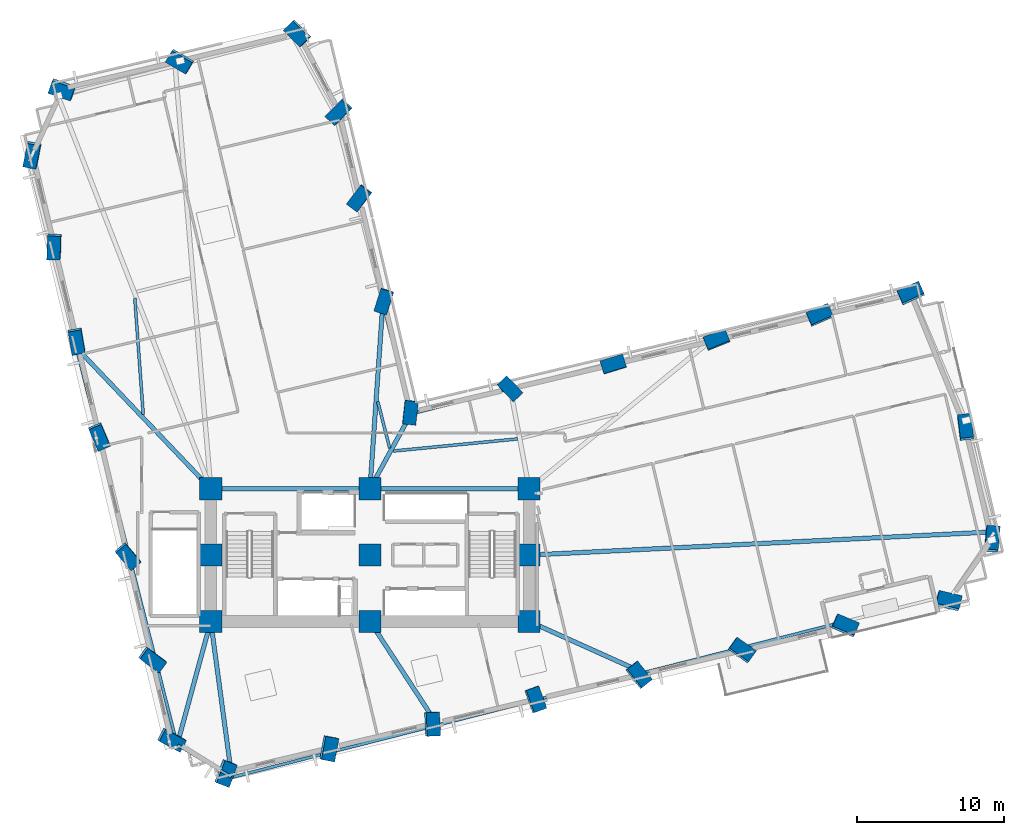
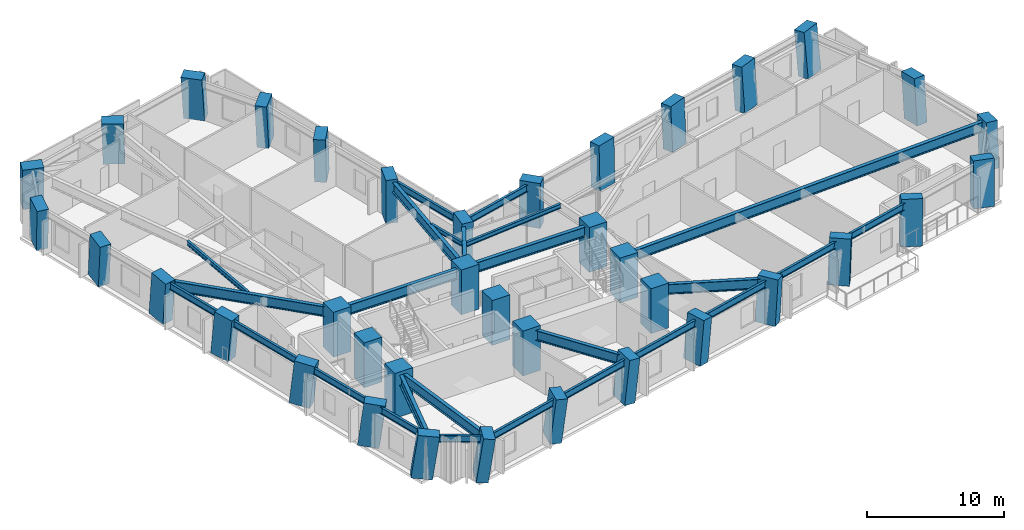
# One storey, part 1 of 14: 38 columns, 26 beams.
"""IFC4 building model written with IfcOpenShell, lengths in metres."""

from ifc_helpers import new_model, si_unit, direction, frame, origin, origin_2d, place, context, subcontext, project, spatial, rectangle, i_section, extrude, material, material_profile, profile_set, type_object, element, save


model = new_model("IFC4")

# Units and contexts
model_context = context("Model", 3, precision=1e-05, world=origin(), true_north=direction((0.0, 1.0)))
body_context = subcontext(model_context, "Body", "Model", "MODEL_VIEW")
ifc_project = project(units=[si_unit("LENGTHUNIT", "METRE"), si_unit("AREAUNIT", "SQUARE_METRE"), si_unit("VOLUMEUNIT", "CUBIC_METRE"), si_unit("PLANEANGLEUNIT", "RADIAN"), si_unit("MASSUNIT", "GRAM", prefix="KILO")], contexts=[model_context])

# Site, building, storey
site_placement = place(None, origin())
site = spatial("IfcSite", under=ifc_project, at=site_placement, CompositionType="ELEMENT")
building_placement = place(site_placement, origin())
building = spatial("IfcBuilding", under=site, at=building_placement, Name="Gaonmaruhae Medical Tower", CompositionType="ELEMENT")
storey_placement = place(building_placement, frame((0.0, 0.0, 79.0)))
storey = spatial("IfcBuildingStorey", under=building, at=storey_placement, Name="L18", CompositionType="ELEMENT", Elevation=79.0)

# Columns
ifc_material_1 = material(Name="Concrete C60/75", Category="concrete")
ifc_material_profile_1 = material_profile(ifc_material_1, rectangle(XDim=1.5, YDim=1.5, at=origin_2d()), Name="RC-1500x1500")
ifc_profile_set_1 = profile_set([ifc_material_profile_1], Name="Concrete C60/75")
column_type_1 = type_object("IfcColumnType", Name="CC-02 Zone 1 Core Column (RC-1500x1500)", PredefinedType="COLUMN", material=ifc_profile_set_1)
for number, where, z_axis, x_axis, name in (
    (1, (14.0, 7.800048828125, 0.0), (0.0, 0.0, 1.0), (1.0, 0.0, 0.0), "L18 Plumb Core Column CC11"),
    (2, (14.0, 12.300048828125, 0.0), (0.0, 0.0, 1.0), (1.0, 0.0, 0.0), "L18 Plumb Core Column CC12"),
    (3, (14.0, 16.800048828125, 0.0), (0.0, 0.0, 1.0), (1.0, 0.0, 0.0), "L18 Plumb Core Column CC13"),
    (4, (24.800048828125, 7.800048828125, 0.0), (0.0, 0.0, 1.0), (1.0, 0.0, 0.0), "L18 Plumb Core Column CC21"),
    (5, (24.800048828125, 12.300048828125, 0.0), (0.0, 0.0, 1.0), (1.0, 0.0, 0.0), "L18 Plumb Core Column CC22"),
    (6, (24.800048828125, 16.800048828125, 0.0), (0.0, 0.0, 1.0), (1.0, 0.0, 0.0), "L18 Plumb Core Column CC23"),
    (7, (35.60009765625, 7.800048828125, 0.0), (0.0, 0.0, 1.0), (1.0, 0.0, 0.0), "L18 Plumb Core Column CC31"),
    (8, (35.60009765625, 12.300048828125, 0.0), (0.0, 0.0, 1.0), (1.0, 0.0, 0.0), "L18 Plumb Core Column CC32"),
    (9, (35.60009765625, 16.800048828125, 0.0), (0.0, 0.0, 1.0), (1.0, 0.0, 0.0), "L18 Plumb Core Column CC33"),
):
    element("IfcColumn", number, at=place(storey_placement, frame(where, z_axis=z_axis, x_axis=x_axis)), inside=storey, type_object=column_type_1, Name=name, PredefinedType="COLUMN", context=body_context, shape_type="SweptSolid", body=[
        extrude(rectangle(XDim=1.5, YDim=1.5, at=origin_2d()), origin(), (0.0, 0.0, 1.0), 4.0),
    ])
ifc_material_profile_2 = material_profile(ifc_material_1, rectangle(XDim=1.60009765625, YDim=0.89990234375, at=origin_2d()), Name="RC-1600x900")
ifc_profile_set_2 = profile_set([ifc_material_profile_2], Name="Concrete C60/75")
column_type_2 = type_object("IfcColumnType", Name="TC-01 Lower Raking Tube Pier Column (RC-1600x900)", PredefinedType="COLUMN", material=ifc_profile_set_2)
column_1_placement = place(storey_placement, frame((14.97314453125, -2.466552734375, 0.001708984375), z_axis=(0.11261318485, -0.075570187747, 0.990761029372), x_axis=(0.353017915617, 0.935096231828, 0.031199174268)))
element("IfcColumn", 10, at=column_1_placement, inside=storey, type_object=column_type_2, Name="L18 Perimeter Tube Column S01", PredefinedType="COLUMN", context=body_context, shape_type="SweptSolid", body=[
    extrude(rectangle(XDim=1.60009765625, YDim=0.89990234375, at=origin_2d()), origin(), (0.0, 0.0, 1.0), 3.94775390625),
])
column_2_placement = place(storey_placement, frame((21.980224609375, -0.81005859375, 0.001708984375), z_axis=(0.105804523447, -0.046969297792, 0.993277044879), x_axis=(0.186010672696, 0.982186756856, 0.026630889967)))
element("IfcColumn", 11, at=column_2_placement, inside=storey, type_object=column_type_2, Name="L18 Perimeter Tube Column S02", PredefinedType="COLUMN", context=body_context, shape_type="SweptSolid", body=[
    extrude(rectangle(XDim=1.60009765625, YDim=0.89990234375, at=origin_2d()), origin(), (0.0, 0.0, 1.0), 3.950439453125),
])
column_3_placement = place(storey_placement, frame((28.987060546875, 0.84619140625, 0.001708984375), z_axis=(0.098936866845, -0.018218711435, 0.994926919393), x_axis=(-0.048855407687, 0.998537704387, 0.023143077958)))
element("IfcColumn", 12, at=column_3_placement, inside=storey, type_object=column_type_2, Name="L18 Perimeter Tube Column S03", PredefinedType="COLUMN", context=body_context, shape_type="SweptSolid", body=[
    extrude(rectangle(XDim=1.60009765625, YDim=0.89990234375, at=origin_2d()), origin(), (0.0, 0.0, 1.0), 3.953125),
])
column_4_placement = place(storey_placement, frame((35.993896484375, 2.502685546875, 0.001708984375), z_axis=(0.091910802022, 0.010616963027, 0.995710642992), x_axis=(-0.339222831521, 0.940465222119, 0.021284655504)))
element("IfcColumn", 13, at=column_4_placement, inside=storey, type_object=column_type_2, Name="L18 Perimeter Tube Column S04", PredefinedType="COLUMN", context=body_context, shape_type="SweptSolid", body=[
    extrude(rectangle(XDim=1.60009765625, YDim=0.89990234375, at=origin_2d()), origin(), (0.0, 0.0, 1.0), 3.955078125),
])
column_5_placement = place(storey_placement, frame((43.000732421875, 4.1591796875, 0.001708984375), z_axis=(0.084881179717, 0.039446599156, 0.995609939256), x_axis=(-0.617843296681, 0.786006368536, 0.021532518815)))
element("IfcColumn", 14, at=column_5_placement, inside=storey, type_object=column_type_2, Name="L18 Perimeter Tube Column S05", PredefinedType="COLUMN", context=body_context, shape_type="SweptSolid", body=[
    extrude(rectangle(XDim=1.60009765625, YDim=0.89990234375, at=origin_2d()), origin(), (0.0, 0.0, 1.0), 3.954833984375),
])
column_6_placement = place(storey_placement, frame((50.007568359375, 5.8154296875, 0.001708984375), z_axis=(0.077702832451, 0.068314254921, 0.994633315551), x_axis=(-0.814413568404, 0.579796535896, 0.023801608418)))
element("IfcColumn", 15, at=column_6_placement, inside=storey, type_object=column_type_2, Name="L18 Perimeter Tube Column S06", PredefinedType="COLUMN", context=body_context, shape_type="SweptSolid", body=[
    extrude(rectangle(XDim=1.60009765625, YDim=0.89990234375, at=origin_2d()), origin(), (0.0, 0.0, 1.0), 3.95263671875),
])
column_7_placement = place(storey_placement, frame((57.014404296875, 7.471923828125, 0.001708984375), z_axis=(0.070529421211, 0.096923867186, 0.992789688058), x_axis=(-0.921275075012, 0.387932734604, 0.027575887724)))
element("IfcColumn", 16, at=column_7_placement, inside=storey, type_object=column_type_2, Name="L18 Perimeter Tube Column S07", PredefinedType="COLUMN", context=body_context, shape_type="SweptSolid", body=[
    extrude(rectangle(XDim=1.60009765625, YDim=0.89990234375, at=origin_2d()), origin(), (0.0, 0.0, 1.0), 3.94970703125),
])
column_8_placement = place(storey_placement, frame((64.021484375, 9.128173828125, 0.001708984375), z_axis=(0.063267908091, 0.125422597857, 0.990084008432), x_axis=(-0.971472319598, 0.234940780414, 0.032316589435)))
element("IfcColumn", 17, at=column_8_placement, inside=storey, type_object=column_type_2, Name="L18 Perimeter Tube Column S08", PredefinedType="COLUMN", context=body_context, shape_type="SweptSolid", body=[
    extrude(rectangle(XDim=1.60009765625, YDim=0.89990234375, at=origin_2d()), origin(), (0.0, 0.0, 1.0), 3.947509765625),
])
column_9_placement = place(storey_placement, frame((66.98583984375, 13.32275390625, 0.001708984375), z_axis=(0.045963241143, 0.137327672927, 0.989458685702), x_axis=(-0.08746818067, -0.986147900056, 0.140931318682)))
element("IfcColumn", 18, at=column_9_placement, inside=storey, type_object=column_type_2, Name="L18 Perimeter Tube Column E01", PredefinedType="COLUMN", context=body_context, shape_type="SweptSolid", body=[
    extrude(rectangle(XDim=1.60009765625, YDim=0.89990234375, at=origin_2d()), origin(), (0.0, 0.0, 1.0), 3.909423828125),
])
column_10_placement = place(storey_placement, frame((65.19140625, 20.91357421875, 0.001708984375), z_axis=(0.014907968205, 0.129930116199, 0.991411073868), x_axis=(0.118569910766, -0.98475493956, 0.127274841477)))
element("IfcColumn", 19, at=column_10_placement, inside=storey, type_object=column_type_2, Name="L18 Perimeter Tube Column E02", PredefinedType="COLUMN", context=body_context, shape_type="SweptSolid", body=[
    extrude(rectangle(XDim=1.60009765625, YDim=0.89990234375, at=origin_2d()), origin(), (0.0, 0.0, 1.0), 3.9140625),
])
column_11_placement = place(storey_placement, frame((61.500244140625, 30.00830078125, 0.001708984375), z_axis=(-0.022435239358, 0.114710204542, 0.993145623264), x_axis=(-0.91122897406, -0.411021576739, 0.026889036583)))
element("IfcColumn", 20, at=column_11_placement, inside=storey, type_object=column_type_2, Name="L18 Perimeter Tube Column E03", PredefinedType="COLUMN", context=body_context, shape_type="SweptSolid", body=[
    extrude(rectangle(XDim=1.60009765625, YDim=0.89990234375, at=origin_2d()), origin(), (0.0, 0.0, 1.0), 3.9501953125),
])
column_12_placement = place(storey_placement, frame((55.320556640625, 28.54736328125, 0.001708984375), z_axis=(-0.016232316816, 0.08955548175, 0.995849550675), x_axis=(-0.916717600894, -0.398986772208, 0.020937903777)))
element("IfcColumn", 21, at=column_12_placement, inside=storey, type_object=column_type_2, Name="L18 Perimeter Tube Column EN01", PredefinedType="COLUMN", context=body_context, shape_type="SweptSolid", body=[
    extrude(rectangle(XDim=1.60009765625, YDim=0.89990234375, at=origin_2d()), origin(), (0.0, 0.0, 1.0), 3.95556640625),
])
column_13_placement = place(storey_placement, frame((48.3134765625, 26.89111328125, 0.001708984375), z_axis=(-0.009112910519, 0.060773261368, 0.998109996726), x_axis=(-0.928369181948, -0.371390363656, 0.014137177668)))
element("IfcColumn", 22, at=column_13_placement, inside=storey, type_object=column_type_2, Name="L18 Perimeter Tube Column EN02", PredefinedType="COLUMN", context=body_context, shape_type="SweptSolid", body=[
    extrude(rectangle(XDim=1.60009765625, YDim=0.89990234375, at=origin_2d()), origin(), (0.0, 0.0, 1.0), 3.965087890625),
])
column_14_placement = place(storey_placement, frame((41.306640625, 25.234619140625, 0.001708984375), z_axis=(-0.002025368238, 0.031914893443, 0.999488537933), x_axis=(-0.956662549699, -0.291105897836, 0.007356782483)))
element("IfcColumn", 23, at=column_14_placement, inside=storey, type_object=column_type_2, Name="L18 Perimeter Tube Column EN03", PredefinedType="COLUMN", context=body_context, shape_type="SweptSolid", body=[
    extrude(rectangle(XDim=1.60009765625, YDim=0.89990234375, at=origin_2d()), origin(), (0.0, 0.0, 1.0), 3.977783203125),
])
column_15_placement = place(storey_placement, frame((34.2998046875, 23.578125, 0.001708984375), z_axis=(0.005075743529, 0.002996523288, 0.999982628687), x_axis=(-0.692844389417, 0.721085857155, 0.001355973417)))
element("IfcColumn", 24, at=column_15_placement, inside=storey, type_object=column_type_2, Name="L18 Perimeter Tube Column EN04", PredefinedType="COLUMN", context=body_context, shape_type="SweptSolid", body=[
    extrude(rectangle(XDim=1.60009765625, YDim=0.89990234375, at=origin_2d()), origin(), (0.0, 0.0, 1.0), 3.9921875),
])
column_16_placement = place(storey_placement, frame((27.536376953125, 21.979248046875, 0.001708984375), z_axis=(0.011862879742, -0.025016539145, 0.999616648948), x_axis=(0.110387943511, 0.993609384183, 0.023556179442)))
element("IfcColumn", 25, at=column_16_placement, inside=storey, type_object=column_type_2, Name="L18 Perimeter Tube Column KN01", PredefinedType="COLUMN", context=body_context, shape_type="SweptSolid", body=[
    extrude(rectangle(XDim=1.60009765625, YDim=0.89990234375, at=origin_2d()), origin(), (0.0, 0.0, 1.0), 3.971923828125),
])
column_17_placement = place(storey_placement, frame((25.75341796875, 29.521484375, 0.001708984375), z_axis=(-0.019332928217, -0.032693582431, 0.999278423441), x_axis=(0.296974112484, 0.954169844595, 0.036963281503)))
element("IfcColumn", 26, at=column_17_placement, inside=storey, type_object=column_type_2, Name="L18 Perimeter Tube Column NE01", PredefinedType="COLUMN", context=body_context, shape_type="SweptSolid", body=[
    extrude(rectangle(XDim=1.60009765625, YDim=0.89990234375, at=origin_2d()), origin(), (0.0, 0.0, 1.0), 3.96533203125),
])
column_18_placement = place(storey_placement, frame((24.096923828125, 36.5283203125, 0.001708984375), z_axis=(-0.048168082707, -0.039696930806, 0.998050093679), x_axis=(0.603230951511, 0.795250021524, 0.060743908373)))
element("IfcColumn", 27, at=column_18_placement, inside=storey, type_object=column_type_2, Name="L18 Perimeter Tube Column NE02", PredefinedType="COLUMN", context=body_context, shape_type="SweptSolid", body=[
    extrude(rectangle(XDim=1.60009765625, YDim=0.89990234375, at=origin_2d()), origin(), (0.0, 0.0, 1.0), 3.948486328125),
])
column_19_placement = place(storey_placement, frame((22.716552734375, 42.367431640625, 0.001708984375), z_axis=(-0.072160803542, -0.045542587962, 0.996352694137), x_axis=(0.697196380934, 0.71205424328, 0.083041923377)))
element("IfcColumn", 28, at=column_19_placement, inside=storey, type_object=column_type_2, Name="L18 Perimeter Tube Column NE03", PredefinedType="COLUMN", context=body_context, shape_type="SweptSolid", body=[
    extrude(rectangle(XDim=1.60009765625, YDim=0.89990234375, at=origin_2d()), origin(), (0.0, 0.0, 1.0), 3.934814453125),
])
column_20_placement = place(storey_placement, frame((19.910888671875, 47.71533203125, 0.001708984375), z_axis=(-0.0939135141, -0.057151316147, 0.993938619298), x_axis=(0.701244074695, -0.712472540273, 0.025290849368)))
element("IfcColumn", 29, at=column_20_placement, inside=storey, type_object=column_type_2, Name="L18 Perimeter Tube Column N01", PredefinedType="COLUMN", context=body_context, shape_type="SweptSolid", body=[
    extrude(rectangle(XDim=1.60009765625, YDim=0.89990234375, at=origin_2d()), origin(), (0.0, 0.0, 1.0), 3.951416015625),
])
column_21_placement = place(storey_placement, frame((11.930908203125, 45.828857421875, 0.001708984375), z_axis=(-0.085748490586, -0.08982880809, 0.992259029487), x_axis=(0.861560195965, -0.506850916025, 0.028568823104)))
element("IfcColumn", 30, at=column_21_placement, inside=storey, type_object=column_type_2, Name="L18 Perimeter Tube Column N02", PredefinedType="COLUMN", context=body_context, shape_type="SweptSolid", body=[
    extrude(rectangle(XDim=1.60009765625, YDim=0.89990234375, at=origin_2d()), origin(), (0.0, 0.0, 1.0), 3.948974609375),
])
column_22_placement = place(storey_placement, frame((3.950927734375, 43.9423828125, 0.001708984375), z_axis=(-0.077497819487, -0.122215236478, 0.989473356866), x_axis=(0.943770999511, -0.32891938876, 0.033291683348)))
element("IfcColumn", 31, at=column_22_placement, inside=storey, type_object=column_type_2, Name="L18 Perimeter Tube Column N03", PredefinedType="COLUMN", context=body_context, shape_type="SweptSolid", body=[
    extrude(rectangle(XDim=1.60009765625, YDim=0.89990234375, at=origin_2d()), origin(), (0.0, 0.0, 1.0), 3.947265625),
])
column_23_placement = place(storey_placement, frame((1.9169921875, 39.505615234375, 0.001708984375), z_axis=(-0.059259340669, -0.130507926236, 0.989674699956), x_axis=(0.188731152124, 0.972071916583, 0.13948742312)))
element("IfcColumn", 32, at=column_23_placement, inside=storey, type_object=column_type_2, Name="L18 Perimeter Tube Column W01", PredefinedType="COLUMN", context=body_context, shape_type="SweptSolid", body=[
    extrude(rectangle(XDim=1.60009765625, YDim=0.89990234375, at=origin_2d()), origin(), (0.0, 0.0, 1.0), 3.90966796875),
])
column_24_placement = place(storey_placement, frame((3.389404296875, 33.27734375, 0.001708984375), z_axis=(-0.033801168241, -0.124478102969, 0.991646450559), x_axis=(0.030884358941, 0.991609466495, 0.125526181855)))
element("IfcColumn", 33, at=column_24_placement, inside=storey, type_object=column_type_2, Name="L18 Perimeter Tube Column W02", PredefinedType="COLUMN", context=body_context, shape_type="SweptSolid", body=[
    extrude(rectangle(XDim=1.60009765625, YDim=0.89990234375, at=origin_2d()), origin(), (0.0, 0.0, 1.0), 3.914794921875),
])
column_25_placement = place(storey_placement, frame((4.90771484375, 26.854248046875, 0.001708984375), z_axis=(-0.007475732598, -0.118178872823, 0.992964182355), x_axis=(-0.16858477636, 0.978927541895, 0.115239059779)))
element("IfcColumn", 34, at=column_25_placement, inside=storey, type_object=column_type_2, Name="L18 Perimeter Tube Column W03", PredefinedType="COLUMN", context=body_context, shape_type="SweptSolid", body=[
    extrude(rectangle(XDim=1.60009765625, YDim=0.89990234375, at=origin_2d()), origin(), (0.0, 0.0, 1.0), 3.9189453125),
])
column_26_placement = place(storey_placement, frame((6.437744140625, 20.382568359375, 0.001708984375), z_axis=(0.019115262304, -0.111702868317, 0.993557786924), x_axis=(-0.389846102073, 0.914252031556, 0.110287077643)))
element("IfcColumn", 35, at=column_26_placement, inside=storey, type_object=column_type_2, Name="L18 Perimeter Tube Column W04", PredefinedType="COLUMN", context=body_context, shape_type="SweptSolid", body=[
    extrude(rectangle(XDim=1.60009765625, YDim=0.89990234375, at=origin_2d()), origin(), (0.0, 0.0, 1.0), 3.9208984375),
])
column_27_placement = place(storey_placement, frame((8.358642578125, 12.256591796875, 0.001708984375), z_axis=(0.052505308671, -0.103515804284, 0.993240993327), x_axis=(-0.642416146359, 0.757985593665, 0.112957225061)))
element("IfcColumn", 36, at=column_27_placement, inside=storey, type_object=column_type_2, Name="L18 Perimeter Tube Column W05", PredefinedType="COLUMN", context=body_context, shape_type="SweptSolid", body=[
    extrude(rectangle(XDim=1.60009765625, YDim=0.89990234375, at=origin_2d()), origin(), (0.0, 0.0, 1.0), 3.919921875),
])
column_28_placement = place(storey_placement, frame((10.01513671875, 5.249755859375, 0.001708984375), z_axis=(0.081173273007, -0.0963231235, 0.992034654449), x_axis=(-0.798045426848, 0.589996603897, 0.122586720637)))
element("IfcColumn", 37, at=column_28_placement, inside=storey, type_object=column_type_2, Name="L18 Perimeter Tube Column W06", PredefinedType="COLUMN", context=body_context, shape_type="SweptSolid", body=[
    extrude(rectangle(XDim=1.60009765625, YDim=0.89990234375, at=origin_2d()), origin(), (0.0, 0.0, 1.0), 3.916015625),
])
column_29_placement = place(storey_placement, frame((11.303466796875, -0.199951171875, 0.001708984375), z_axis=(0.103356682882, -0.090686751345, 0.990501544287), x_axis=(-0.876292372031, 0.462823491744, 0.133813654794)))
element("IfcColumn", 38, at=column_29_placement, inside=storey, type_object=column_type_2, Name="L18 Perimeter Tube Column W07", PredefinedType="COLUMN", context=body_context, shape_type="SweptSolid", body=[
    extrude(rectangle(XDim=1.60009765625, YDim=0.89990234375, at=origin_2d()), origin(), (0.0, 0.0, 1.0), 3.91162109375),
])

# Beams
ifc_material_2 = material(Name="Steel SM355", Category="steel")
ifc_material_profile_3 = material_profile(ifc_material_2, i_section(OverallWidth=0.199951171875, OverallDepth=0.39990234375, WebThickness=0.008056640625, FlangeThickness=0.012939453125, FilletRadius=0.012939453125, at=origin_2d()), Name="H-400x200x8x13")
ifc_profile_set_3 = profile_set([ifc_material_profile_3], Name="Steel SM355")
beam_type_1 = type_object("IfcBeamType", Name="FJ-01 Lower Zone Ward Floor Joist (H-400x200x8x13)", PredefinedType="JOIST", material=ifc_profile_set_3)
beam_1_placement = place(storey_placement, frame((34.80419921875, 20.1796875, 3.5), z_axis=(-0.995277216715, -0.097073487047, 0.0), x_axis=(0.097073487047, -0.995277216715, 0.0)))
element("IfcBeam", 39, at=beam_1_placement, inside=storey, type_object=beam_type_1, Name="L18 Secondary Floor Joist FJ06", PredefinedType="JOIST", context=body_context, shape_type="SweptSolid", body=[
    extrude(i_section(OverallWidth=0.199951171875, OverallDepth=0.39990234375, WebThickness=0.008056640625, FlangeThickness=0.012939453125, FilletRadius=0.012939453125, at=origin_2d()), origin(), (0.0, 0.0, 1.0), 8.465576171875),
])
beam_2_placement = place(storey_placement, frame((26.13623046875, 19.55859375, 3.5), z_axis=(-0.24614151849, 0.969233899983, 0.0), x_axis=(-0.969233899983, -0.24614151849, 0.0)))
element("IfcBeam", 40, at=beam_2_placement, inside=storey, type_object=beam_type_1, Name="L18 Secondary Floor Joist FJ07", PredefinedType="JOIST", context=body_context, shape_type="SweptSolid", body=[
    extrude(i_section(OverallWidth=0.199951171875, OverallDepth=0.39990234375, WebThickness=0.008056640625, FlangeThickness=0.012939453125, FilletRadius=0.012939453125, at=origin_2d()), origin(), (0.0, 0.0, 1.0), 3.248291015625),
])
beam_3_placement = place(storey_placement, frame((8.847900390625, 29.724609375, 3.5), z_axis=(0.072459263124, -0.997371372753, 0.0), x_axis=(0.997371372753, 0.072459263124, 0.0)))
element("IfcBeam", 41, at=beam_3_placement, inside=storey, type_object=beam_type_1, Name="L18 Secondary Floor Joist FJ10", PredefinedType="JOIST", context=body_context, shape_type="SweptSolid", body=[
    extrude(i_section(OverallWidth=0.199951171875, OverallDepth=0.39990234375, WebThickness=0.008056640625, FlangeThickness=0.012939453125, FilletRadius=0.012939453125, at=origin_2d()), origin(), (0.0, 0.0, 1.0), 7.91455078125),
])
ifc_material_3 = material(Name="Steel SM420", Category="steel")
ifc_material_profile_4 = material_profile(ifc_material_3, i_section(OverallWidth=0.300048828125, OverallDepth=0.89990234375, WebThickness=0.01611328125, FlangeThickness=0.028076171875, FilletRadius=0.01806640625, at=origin_2d()), Name="H-900x300x16x28")
ifc_profile_set_4 = profile_set([ifc_material_profile_4], Name="Steel SM420")
beam_type_2 = type_object("IfcBeamType", Name="PG-01 Zone 1 Radial Floor Girder (H-900x300x16x28)", PredefinedType="BEAM", material=ifc_profile_set_4)
for number, where, z_axis, x_axis, name in (
    (42, (14.050048828125, 16.800048828125, 3.25), (1.0, 0.0, 0.0), (0.0, 1.0, 0.0), "L18 Beam BM-L18-CG-N1"),
    (43, (24.85009765625, 16.800048828125, 3.25), (1.0, 0.0, 0.0), (0.0, 1.0, 0.0), "L18 Beam BM-L18-CG-N2"),
):
    element("IfcBeam", number, at=place(storey_placement, frame(where, z_axis=z_axis, x_axis=x_axis)), inside=storey, type_object=beam_type_2, Name=name, PredefinedType="BEAM", context=body_context, shape_type="SweptSolid", body=[
        extrude(i_section(OverallWidth=0.300048828125, OverallDepth=0.89990234375, WebThickness=0.01611328125, FlangeThickness=0.028076171875, FilletRadius=0.01806640625, at=origin_2d()), origin(), (0.0, 0.0, 1.0), 10.699951171875),
    ])
beam_4_placement = place(storey_placement, frame((14.006591796875, 7.75048828125, 3.25), z_axis=(0.133835725732, -0.991003531032, 0.0), x_axis=(0.991003531032, 0.133835725732, 0.0)))
element("IfcBeam", 44, at=beam_4_placement, inside=storey, type_object=beam_type_2, Name="L18 Radial Primary Girder S01", PredefinedType="BEAM", context=body_context, shape_type="SweptSolid", body=[
    extrude(i_section(OverallWidth=0.300048828125, OverallDepth=0.89990234375, WebThickness=0.01611328125, FlangeThickness=0.028076171875, FilletRadius=0.01806640625, at=origin_2d()), origin(), (0.0, 0.0, 1.0), 10.5673828125),
])
beam_5_placement = place(storey_placement, frame((24.827392578125, 7.758056640625, 3.25), z_axis=(0.546408810849, -0.83751860363, 0.0), x_axis=(0.83751860363, 0.546408810849, 0.0)))
element("IfcBeam", 45, at=beam_5_placement, inside=storey, type_object=beam_type_2, Name="L18 Radial Primary Girder S03", PredefinedType="BEAM", context=body_context, shape_type="SweptSolid", body=[
    extrude(i_section(OverallWidth=0.300048828125, OverallDepth=0.89990234375, WebThickness=0.01611328125, FlangeThickness=0.028076171875, FilletRadius=0.01806640625, at=origin_2d()), origin(), (0.0, 0.0, 1.0), 8.2900390625),
])
beam_6_placement = place(storey_placement, frame((35.6455078125, 7.779541015625, 3.25), z_axis=(0.911978129761, -0.41023882171, 0.0), x_axis=(0.41023882171, 0.911978129761, 0.0)))
element("IfcBeam", 46, at=beam_6_placement, inside=storey, type_object=beam_type_2, Name="L18 Radial Primary Girder S05", PredefinedType="BEAM", context=body_context, shape_type="SweptSolid", body=[
    extrude(i_section(OverallWidth=0.300048828125, OverallDepth=0.89990234375, WebThickness=0.01611328125, FlangeThickness=0.028076171875, FilletRadius=0.01806640625, at=origin_2d()), origin(), (0.0, 0.0, 1.0), 8.388671875),
])
beam_7_placement = place(storey_placement, frame((35.64990234375, 12.302490234375, 3.25), z_axis=(0.998753652374, 0.049911340092, 0.0), x_axis=(-0.049911340092, 0.998753652374, 0.0)))
element("IfcBeam", 47, at=beam_7_placement, inside=storey, type_object=beam_type_2, Name="L18 Radial Primary Girder E01", PredefinedType="BEAM", context=body_context, shape_type="SweptSolid", body=[
    extrude(i_section(OverallWidth=0.300048828125, OverallDepth=0.89990234375, WebThickness=0.01611328125, FlangeThickness=0.028076171875, FilletRadius=0.01806640625, at=origin_2d()), origin(), (0.0, 0.0, 1.0), 31.510986328125),
])
beam_8_placement = place(storey_placement, frame((24.823974609375, 16.84375, 3.25), z_axis=(0.480624118433, 0.87692671118, 0.0), x_axis=(-0.87692671118, 0.480624118433, 0.0)))
element("IfcBeam", 48, at=beam_8_placement, inside=storey, type_object=beam_type_2, Name="L18 Radial Primary Girder KN01", PredefinedType="BEAM", context=body_context, shape_type="SweptSolid", body=[
    extrude(i_section(OverallWidth=0.300048828125, OverallDepth=0.89990234375, WebThickness=0.01611328125, FlangeThickness=0.028076171875, FilletRadius=0.01806640625, at=origin_2d()), origin(), (0.0, 0.0, 1.0), 5.6923828125),
])
beam_9_placement = place(storey_placement, frame((24.803466796875, 16.849853515625, 3.25), z_axis=(0.069413700098, 0.997587960151, 0.0), x_axis=(-0.997587960151, 0.069413700098, 0.0)))
element("IfcBeam", 49, at=beam_9_placement, inside=storey, type_object=beam_type_2, Name="L18 Radial Primary Girder NE01", PredefinedType="BEAM", context=body_context, shape_type="SweptSolid", body=[
    extrude(i_section(OverallWidth=0.300048828125, OverallDepth=0.89990234375, WebThickness=0.01611328125, FlangeThickness=0.028076171875, FilletRadius=0.01806640625, at=origin_2d()), origin(), (0.0, 0.0, 1.0), 12.521240234375),
])
beam_10_placement = place(storey_placement, frame((13.965576171875, 16.836181640625, 3.25), z_axis=(-0.689656565578, 0.724136604209, 0.0), x_axis=(-0.724136604209, -0.689656565578, 0.0)))
element("IfcBeam", 50, at=beam_10_placement, inside=storey, type_object=beam_type_2, Name="L18 Radial Primary Girder W03", PredefinedType="BEAM", context=body_context, shape_type="SweptSolid", body=[
    extrude(i_section(OverallWidth=0.300048828125, OverallDepth=0.89990234375, WebThickness=0.01611328125, FlangeThickness=0.028076171875, FilletRadius=0.01806640625, at=origin_2d()), origin(), (0.0, 0.0, 1.0), 13.12744140625),
])
beam_11_placement = place(storey_placement, frame((13.98681640625, 7.751708984375, 3.25), z_axis=(-0.262857089604, -0.964834778833, 0.0), x_axis=(0.964834778833, -0.262857089604, 0.0)))
element("IfcBeam", 51, at=beam_11_placement, inside=storey, type_object=beam_type_2, Name="L18 Radial Primary Girder W07", PredefinedType="BEAM", context=body_context, shape_type="SweptSolid", body=[
    extrude(i_section(OverallWidth=0.300048828125, OverallDepth=0.89990234375, WebThickness=0.01611328125, FlangeThickness=0.028076171875, FilletRadius=0.01806640625, at=origin_2d()), origin(), (0.0, 0.0, 1.0), 8.571044921875),
])
ifc_material_profile_5 = material_profile(ifc_material_2, i_section(OverallWidth=0.199951171875, OverallDepth=0.60009765625, WebThickness=0.010986328125, FlangeThickness=0.01708984375, FilletRadius=0.012939453125, at=origin_2d()), Name="H-600x200x11x17")
ifc_profile_set_5 = profile_set([ifc_material_profile_5], Name="Steel SM355")
beam_type_3 = type_object("IfcBeamType", Name="SP-01 Lower Perimeter Spandrel Beam (H-600x200x11x17)", PredefinedType="SPANDREL", material=ifc_profile_set_5)
beam_12_placement = place(storey_placement, frame((15.466552734375, -2.76171875, 3.39990234375), z_axis=(0.96922804224, 0.24616458343, 0.0), x_axis=(-0.24616458343, 0.96922804224, 0.0)))
element("IfcBeam", 52, at=beam_12_placement, inside=storey, type_object=beam_type_3, Name="L18 Perimeter Spandrel Beam S01-S02", PredefinedType="SPANDREL", context=body_context, shape_type="SweptSolid", body=[
    extrude(i_section(OverallWidth=0.199951171875, OverallDepth=0.60009765625, WebThickness=0.010986328125, FlangeThickness=0.01708984375, FilletRadius=0.012939453125, at=origin_2d()), origin(), (0.0, 0.0, 1.0), 7.119873046875),
])
beam_13_placement = place(storey_placement, frame((22.44482421875, -0.9892578125, 3.39990234375), z_axis=(0.969238300115, 0.246124191397, 0.0), x_axis=(-0.246124191397, 0.969238300115, 0.0)))
element("IfcBeam", 53, at=beam_13_placement, inside=storey, type_object=beam_type_3, Name="L18 Perimeter Spandrel Beam S02-S03", PredefinedType="SPANDREL", context=body_context, shape_type="SweptSolid", body=[
    extrude(i_section(OverallWidth=0.199951171875, OverallDepth=0.60009765625, WebThickness=0.010986328125, FlangeThickness=0.01708984375, FilletRadius=0.012939453125, at=origin_2d()), origin(), (0.0, 0.0, 1.0), 7.1201171875),
])
for number, where, z_axis, x_axis, name in (
    (54, (29.42333984375, 0.782958984375, 3.39990234375), (0.96922804224, 0.24616458343, 0.0), (-0.24616458343, 0.96922804224, 0.0), "L18 Perimeter Spandrel Beam S03-S04"),
    (55, (36.40185546875, 2.55517578125, 3.39990234375), (0.96922804224, 0.24616458343, 0.0), (-0.24616458343, 0.96922804224, 0.0), "L18 Perimeter Spandrel Beam S04-S05"),
    (56, (43.38037109375, 4.32763671875, 3.39990234375), (0.969236222901, 0.246132371329, 0.0), (-0.246132371329, 0.969236222901, 0.0), "L18 Perimeter Spandrel Beam S05-S06"),
):
    element("IfcBeam", number, at=place(storey_placement, frame(where, z_axis=z_axis, x_axis=x_axis)), inside=storey, type_object=beam_type_3, Name=name, PredefinedType="SPANDREL", context=body_context, shape_type="SweptSolid", body=[
        extrude(i_section(OverallWidth=0.199951171875, OverallDepth=0.60009765625, WebThickness=0.010986328125, FlangeThickness=0.01708984375, FilletRadius=0.012939453125, at=origin_2d()), origin(), (0.0, 0.0, 1.0), 7.119873046875),
    ])
beam_14_placement = place(storey_placement, frame((50.358642578125, 6.099853515625, 3.39990234375), z_axis=(0.96923011998, 0.246156402566, 0.0), x_axis=(-0.246156402566, 0.96923011998, 0.0)))
element("IfcBeam", 57, at=beam_14_placement, inside=storey, type_object=beam_type_3, Name="L18 Perimeter Spandrel Beam S06-S07", PredefinedType="SPANDREL", context=body_context, shape_type="SweptSolid", body=[
    extrude(i_section(OverallWidth=0.199951171875, OverallDepth=0.60009765625, WebThickness=0.010986328125, FlangeThickness=0.01708984375, FilletRadius=0.012939453125, at=origin_2d()), origin(), (0.0, 0.0, 1.0), 7.1201171875),
])
beam_15_placement = place(storey_placement, frame((34.28125, 23.580078125, 3.39990234375), z_axis=(-0.969236959517, -0.246129470617, 0.0), x_axis=(0.246129470617, -0.969236959517, 0.0)))
element("IfcBeam", 58, at=beam_15_placement, inside=storey, type_object=beam_type_3, Name="L18 Perimeter Spandrel Beam EN04-KN01", PredefinedType="SPANDREL", context=body_context, shape_type="SweptSolid", body=[
    extrude(i_section(OverallWidth=0.199951171875, OverallDepth=0.60009765625, WebThickness=0.010986328125, FlangeThickness=0.01708984375, FilletRadius=0.012939453125, at=origin_2d()), origin(), (0.0, 0.0, 1.0), 6.8701171875),
])
beam_16_placement = place(storey_placement, frame((27.573974609375, 21.91796875, 3.39990234375), z_axis=(-0.246143878918, 0.969233300538, 0.0), x_axis=(-0.969233300538, -0.246143878918, 0.0)))
element("IfcBeam", 59, at=beam_16_placement, inside=storey, type_object=beam_type_3, Name="L18 Perimeter Spandrel Beam KN01-NE01", PredefinedType="SPANDREL", context=body_context, shape_type="SweptSolid", body=[
    extrude(i_section(OverallWidth=0.199951171875, OverallDepth=0.60009765625, WebThickness=0.010986328125, FlangeThickness=0.01708984375, FilletRadius=0.012939453125, at=origin_2d()), origin(), (0.0, 0.0, 1.0), 7.670166015625),
])
beam_17_placement = place(storey_placement, frame((4.887451171875, 26.339599609375, 3.39990234375), z_axis=(0.246188754938, -0.969221902838, 0.0), x_axis=(0.969221902838, 0.246188754938, 0.0)))
element("IfcBeam", 60, at=beam_17_placement, inside=storey, type_object=beam_type_3, Name="L18 Perimeter Spandrel Beam W03-W04", PredefinedType="SPANDREL", context=body_context, shape_type="SweptSolid", body=[
    extrude(i_section(OverallWidth=0.199951171875, OverallDepth=0.60009765625, WebThickness=0.010986328125, FlangeThickness=0.01708984375, FilletRadius=0.012939453125, at=origin_2d()), origin(), (0.0, 0.0, 1.0), 6.56982421875),
])
beam_18_placement = place(storey_placement, frame((6.5244140625, 19.894287109375, 3.39990234375), z_axis=(0.246145922645, -0.969232781516, 0.0), x_axis=(0.969232781516, 0.246145922645, 0.0)))
element("IfcBeam", 61, at=beam_18_placement, inside=storey, type_object=beam_type_3, Name="L18 Perimeter Spandrel Beam W04-W05", PredefinedType="SPANDREL", context=body_context, shape_type="SweptSolid", body=[
    extrude(i_section(OverallWidth=0.199951171875, OverallDepth=0.60009765625, WebThickness=0.010986328125, FlangeThickness=0.01708984375, FilletRadius=0.012939453125, at=origin_2d()), origin(), (0.0, 0.0, 1.0), 8.27001953125),
])
beam_19_placement = place(storey_placement, frame((8.579833984375, 11.80126953125, 3.39990234375), z_axis=(0.24616458343, -0.96922804224, 0.0), x_axis=(0.96922804224, 0.24616458343, 0.0)))
element("IfcBeam", 62, at=beam_19_placement, inside=storey, type_object=beam_type_3, Name="L18 Perimeter Spandrel Beam W05-W06", PredefinedType="SPANDREL", context=body_context, shape_type="SweptSolid", body=[
    extrude(i_section(OverallWidth=0.199951171875, OverallDepth=0.60009765625, WebThickness=0.010986328125, FlangeThickness=0.01708984375, FilletRadius=0.012939453125, at=origin_2d()), origin(), (0.0, 0.0, 1.0), 7.119873046875),
])
beam_20_placement = place(storey_placement, frame((10.35205078125, 4.82275390625, 3.39990234375), z_axis=(0.246176269192, -0.969225074215, 0.0), x_axis=(0.969225074215, 0.246176269192, 0.0)))
element("IfcBeam", 63, at=beam_20_placement, inside=storey, type_object=beam_type_3, Name="L18 Perimeter Spandrel Beam W06-W07", PredefinedType="SPANDREL", context=body_context, shape_type="SweptSolid", body=[
    extrude(i_section(OverallWidth=0.199951171875, OverallDepth=0.60009765625, WebThickness=0.010986328125, FlangeThickness=0.01708984375, FilletRadius=0.012939453125, at=origin_2d()), origin(), (0.0, 0.0, 1.0), 5.52001953125),
])
beam_21_placement = place(storey_placement, frame((11.755126953125, -0.586669921875, 3.39990234375), z_axis=(0.859425628615, -0.511260783631, 0.0), x_axis=(0.511260783631, 0.859425628615, 0.0)))
element("IfcBeam", 64, at=beam_21_placement, inside=storey, type_object=beam_type_3, Name="L18 Perimeter Spandrel Beam W07-S01", PredefinedType="SPANDREL", context=body_context, shape_type="SweptSolid", body=[
    extrude(i_section(OverallWidth=0.199951171875, OverallDepth=0.60009765625, WebThickness=0.010986328125, FlangeThickness=0.01708984375, FilletRadius=0.012939453125, at=origin_2d()), origin(), (0.0, 0.0, 1.0), 4.233154296875),
])

save(model, "model.ifc")
